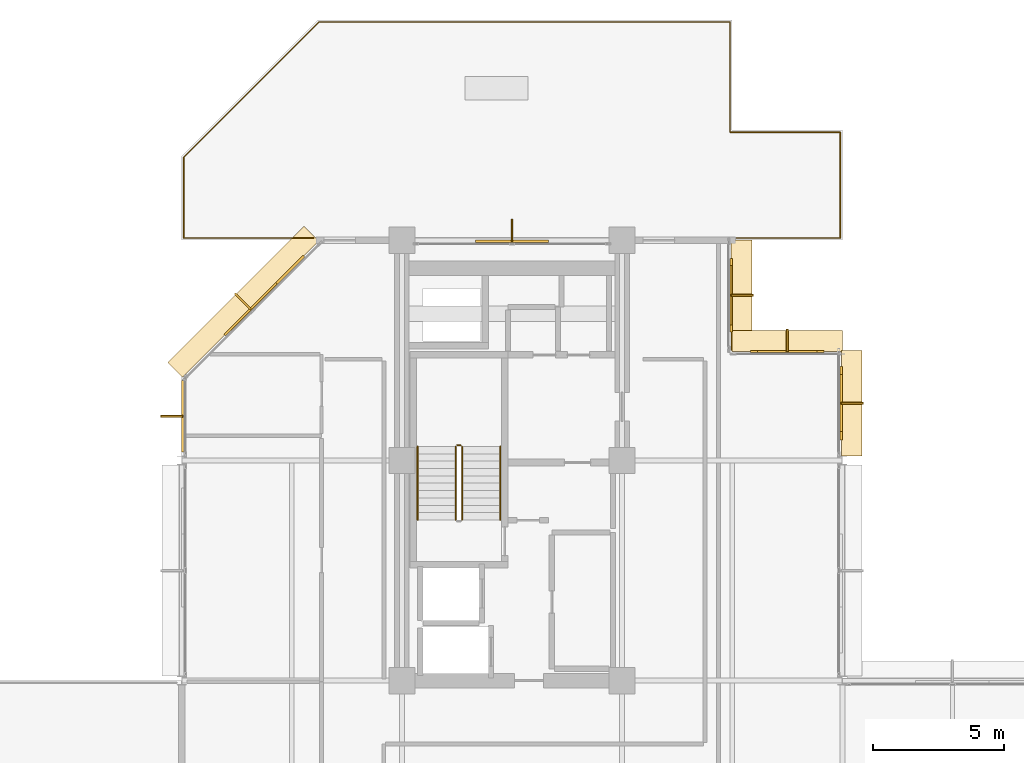
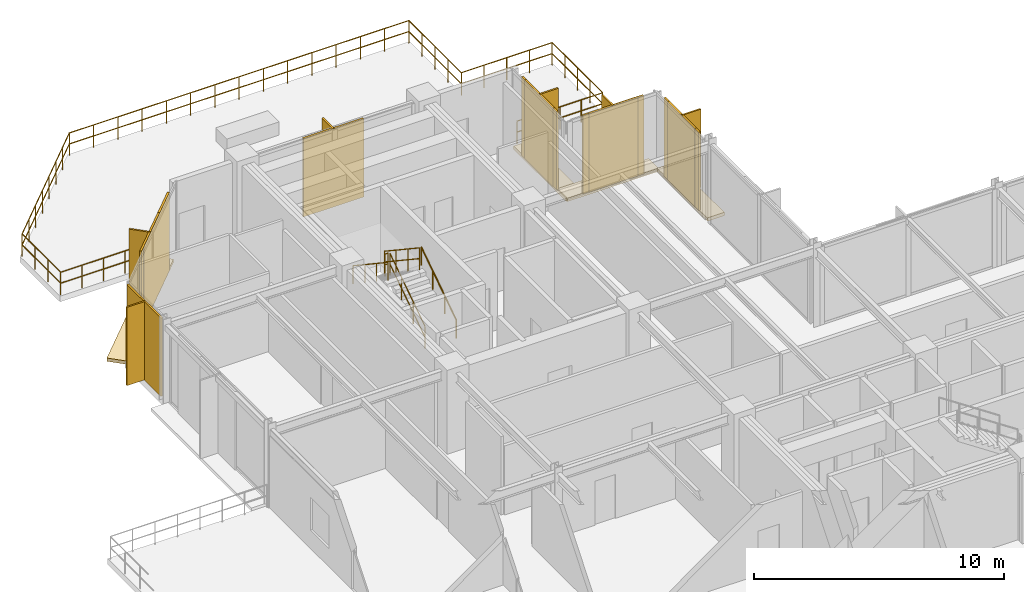
# One storey, part 21 of 21: 13 railings, 12 shading devices, 8 coverings.
"""IFC4 building model written with IfcOpenShell, lengths in metres."""

from ifc_helpers import new_model, si_unit, direction, frame, origin, origin_2d, place, context, subcontext, project, spatial, polyline, rectangle, circle, outline, extrude, material, layer, layer_set, type_object, element, save


model = new_model("IFC4")

# Units and contexts
model_context = context("Model", 3, precision=1e-05, world=origin(), true_north=direction((0.0, 1.0)))
body_context = subcontext(model_context, "Body", "Model", "MODEL_VIEW")
ifc_project = project(units=[si_unit("LENGTHUNIT", "METRE"), si_unit("AREAUNIT", "SQUARE_METRE"), si_unit("VOLUMEUNIT", "CUBIC_METRE"), si_unit("PLANEANGLEUNIT", "RADIAN"), si_unit("MASSUNIT", "GRAM", prefix="KILO")], contexts=[model_context])

# Site, building, storey
site_placement = place(None, origin())
site = spatial("IfcSite", under=ifc_project, at=site_placement, CompositionType="ELEMENT")
building_placement = place(site_placement, origin())
building = spatial("IfcBuilding", under=site, at=building_placement, Name="Nerrivon Quay Data Exchange", CompositionType="ELEMENT")
storey_placement = place(building_placement, frame((0.0, 0.0, 220.60009765625)))
storey = spatial("IfcBuildingStorey", under=building, at=storey_placement, Name="L52", CompositionType="ELEMENT", Elevation=220.60009765625)

# Coverings
ifc_material_1 = material(Name="Architectural terracotta ceramic", Category="masonry")
ifc_layer_1 = layer(ifc_material_1, 0.159912109375)
ifc_layer_set_1 = layer_set([ifc_layer_1], Name="Architectural terracotta ceramic")
covering_type_1 = type_object("IfcCoveringType", Name="COV-BLD-TERR", PredefinedType="CLADDING", material=ifc_layer_set_1)
covering_1_placement = place(storey_placement, frame((0.0, 0.0, -0.16015625)))
element("IfcCovering", 1, at=covering_1_placement, inside=storey, type_object=covering_type_1, Name="L52 Horizontal Terracotta SOLAR SCREEN Blade", PredefinedType="CLADDING", context=body_context, shape_type="SweptSolid", body=[
    extrude(outline(polyline([(0.0283203125, 36.771728515625), (5.228271484375, 41.9716796875), (4.669677734375, 42.5302734375), (-0.5302734375, 37.330322265625), (0.0283203125, 36.771728515625)])), origin(), (0.0, 0.0, 1.0), 0.16015625),
])
covering_2_placement = place(storey_placement, frame((0.0, 0.0, -0.16015625)))
element("IfcCovering", 2, at=covering_2_placement, inside=storey, type_object=covering_type_1, Name="L52 Horizontal Terracotta SOLAR SCREEN Blade", PredefinedType="CLADDING", context=body_context, shape_type="SweptSolid", body=[
    extrude(outline(polyline([(20.9599609375, 42.0), (20.9599609375, 37.800048828125), (21.75, 37.800048828125), (21.75, 42.0), (20.9599609375, 42.0)])), origin(), (0.0, 0.0, 1.0), 0.16015625),
])
covering_3_placement = place(storey_placement, frame((0.0, 0.0, -0.16015625)))
element("IfcCovering", 3, at=covering_3_placement, inside=storey, type_object=covering_type_1, Name="L52 Horizontal Terracotta SOLAR SCREEN Blade", PredefinedType="CLADDING", context=body_context, shape_type="SweptSolid", body=[
    extrude(outline(polyline([(21.0, 37.760009765625), (25.199951171875, 37.760009765625), (25.199951171875, 38.550048828125), (21.0, 38.550048828125), (21.0, 37.760009765625)])), origin(), (0.0, 0.0, 1.0), 0.16015625),
])
covering_4_placement = place(storey_placement, frame((0.0, 0.0, -0.16015625)))
element("IfcCovering", 4, at=covering_4_placement, inside=storey, type_object=covering_type_1, Name="L52 Horizontal Terracotta SOLAR SCREEN Blade", PredefinedType="CLADDING", context=body_context, shape_type="SweptSolid", body=[
    extrude(outline(polyline([(25.159912109375, 37.800048828125), (25.159912109375, 33.77490234375), (25.949951171875, 33.77490234375), (25.949951171875, 37.800048828125), (25.159912109375, 37.800048828125)])), origin(), (0.0, 0.0, 1.0), 0.16015625),
])
ifc_layer_2 = layer(ifc_material_1, 0.090087890625)
ifc_layer_set_2 = layer_set([ifc_layer_2], Name="Architectural terracotta ceramic")
covering_type_2 = type_object("IfcCoveringType", Name="COV-SCR-TERR", PredefinedType="CLADDING", material=ifc_layer_set_2)
covering_5_placement = place(storey_placement, frame((3.255859375, 39.9921875, 0.0), z_axis=(0.0, 0.0, 1.0), x_axis=(0.707106781187, 0.707106781187, 0.0)))
element("IfcCovering", 5, at=covering_5_placement, inside=storey, type_object=covering_type_2, Name="L52 Perforated Terracotta SOLAR SCREEN Cassette", PredefinedType="CLADDING", context=body_context, shape_type="SweptSolid", body=[
    extrude(rectangle(XDim=3.970947265625, YDim=0.090087890625, at=origin_2d()), origin(), (0.0, 0.0, 1.0), 3.824951171875),
])
for number, where, z_axis, x_axis, name in (
    (6, (20.955078125, 39.89990234375, 0.0), (0.0, 0.0, 1.0), (0.0, -1.0, 0.0), "L52 Perforated Terracotta SOLAR SCREEN Cassette"),
    (7, (23.10009765625, 37.7548828125, 0.0), (0.0, 0.0, 1.0), (1.0, 0.0, 0.0), "L52 Perforated Terracotta SOLAR SCREEN Cassette"),
):
    element("IfcCovering", number, at=place(storey_placement, frame(where, z_axis=z_axis, x_axis=x_axis)), inside=storey, type_object=covering_type_2, Name=name, PredefinedType="CLADDING", context=body_context, shape_type="SweptSolid", body=[
        extrude(rectangle(XDim=2.26806640625, YDim=0.090087890625, at=origin_2d()), origin(), (0.0, 0.0, 1.0), 3.824951171875),
    ])
covering_6_placement = place(storey_placement, frame((25.155029296875, 35.78759765625, 0.0), z_axis=(0.0, 0.0, 1.0), x_axis=(0.0, -1.0, 0.0)))
element("IfcCovering", 8, at=covering_6_placement, inside=storey, type_object=covering_type_2, Name="L52 Perforated Terracotta SOLAR SCREEN Cassette", PredefinedType="CLADDING", context=body_context, shape_type="SweptSolid", body=[
    extrude(rectangle(XDim=2.173095703125, YDim=0.090087890625, at=origin_2d()), origin(), (0.0, 0.0, 1.0), 3.824951171875),
])

# Railings
ifc_material_2 = material(Name="Steel Grade C350L0 (350 MPa)", Category="steel")
railing_type_1 = type_object("IfcRailingType", Name="RAIL-GUARD-GR2", PredefinedType="BALUSTRADE", material=ifc_material_2)
railing_1_placement = place(storey_placement, frame((25.1201171875, 42.080078125, 0.0)))
element("IfcRailing", 9, at=railing_1_placement, inside=storey, type_object=railing_type_1, Name="L52 Terrace Perimeter Guard 1.1 1", PredefinedType="BALUSTRADE", context=body_context, shape_type="SweptSolid", body=[
    extrude(circle(Radius=0.02392578125, at=origin_2d()), frame((0.0, 0.0, 1.09619140625), z_axis=(-1.0, 0.0, 0.0), x_axis=(0.0, -1.0, 0.0)), (0.0, 0.0, 1.0), 3.959228515625),
    extrude(circle(Radius=0.02392578125, at=origin_2d()), frame((0.0, 0.0, 0.56005859375), z_axis=(-1.0, 0.0, 0.0), x_axis=(0.0, -1.0, 0.0)), (0.0, 0.0, 1.0), 3.959228515625),
    extrude(circle(Radius=0.02099609375, at=origin_2d()), origin(), (0.0, 0.0, 1.0), 1.072021484375),
    extrude(circle(Radius=0.02099609375, at=origin_2d()), frame((-0.98974609375, 0.0, 0.0)), (0.0, 0.0, 1.0), 1.072021484375),
    extrude(circle(Radius=0.02099609375, at=origin_2d()), frame((-1.9794921875, 0.0, 0.0)), (0.0, 0.0, 1.0), 1.072021484375),
    extrude(circle(Radius=0.02099609375, at=origin_2d()), frame((-2.969482421875, 0.0, 0.0)), (0.0, 0.0, 1.0), 1.072021484375),
    extrude(circle(Radius=0.02099609375, at=origin_2d()), frame((-3.959228515625, 0.0, 0.0)), (0.0, 0.0, 1.0), 1.072021484375),
])
railing_2_placement = place(storey_placement, frame((5.025390625, 42.080078125, 0.0)))
element("IfcRailing", 10, at=railing_2_placement, inside=storey, type_object=railing_type_1, Name="L52 Terrace Perimeter Guard 1.2 1", PredefinedType="BALUSTRADE", context=body_context, shape_type="SweptSolid", body=[
    extrude(circle(Radius=0.02392578125, at=origin_2d()), frame((0.0, 0.0, 1.09619140625), z_axis=(-1.0, 0.0, 0.0), x_axis=(0.0, -1.0, 0.0)), (0.0, 0.0, 1.0), 4.9453125),
    extrude(circle(Radius=0.02392578125, at=origin_2d()), frame((0.0, 0.0, 0.56005859375), z_axis=(-1.0, 0.0, 0.0), x_axis=(0.0, -1.0, 0.0)), (0.0, 0.0, 1.0), 4.9453125),
    extrude(circle(Radius=0.02099609375, at=origin_2d()), origin(), (0.0, 0.0, 1.0), 1.072021484375),
    extrude(circle(Radius=0.02099609375, at=origin_2d()), frame((-0.989013671875, 0.0, 0.0)), (0.0, 0.0, 1.0), 1.072021484375),
    extrude(circle(Radius=0.02099609375, at=origin_2d()), frame((-1.97802734375, 0.0, 0.0)), (0.0, 0.0, 1.0), 1.072021484375),
    extrude(circle(Radius=0.02099609375, at=origin_2d()), frame((-2.96728515625, 0.0, 0.0)), (0.0, 0.0, 1.0), 1.072021484375),
    extrude(circle(Radius=0.02099609375, at=origin_2d()), frame((-3.956298828125, 0.0, 0.0)), (0.0, 0.0, 1.0), 1.072021484375),
    extrude(circle(Radius=0.02099609375, at=origin_2d()), frame((-4.9453125, 0.0, 0.0)), (0.0, 0.0, 1.0), 1.072021484375),
])
railing_3_placement = place(storey_placement, frame((0.080078125, 42.080078125, 0.0)))
element("IfcRailing", 11, at=railing_3_placement, inside=storey, type_object=railing_type_1, Name="L52 Terrace Perimeter Guard 1.3 1", PredefinedType="BALUSTRADE", context=body_context, shape_type="SweptSolid", body=[
    extrude(circle(Radius=0.02392578125, at=origin_2d()), frame((0.0, 0.0, 1.09619140625), z_axis=(0.0, 1.0, 0.0), x_axis=(-1.0, 0.0, 0.0)), (0.0, 0.0, 1.0), 3.0869140625),
    extrude(circle(Radius=0.02392578125, at=origin_2d()), frame((0.0, 0.0, 0.56005859375), z_axis=(0.0, 1.0, 0.0), x_axis=(-1.0, 0.0, 0.0)), (0.0, 0.0, 1.0), 3.0869140625),
    extrude(circle(Radius=0.02099609375, at=origin_2d()), origin(), (0.0, 0.0, 1.0), 1.072021484375),
    extrude(circle(Radius=0.02099609375, at=origin_2d()), frame((0.0, 1.029052734375, 0.0)), (0.0, 0.0, 1.0), 1.072021484375),
    extrude(circle(Radius=0.02099609375, at=origin_2d()), frame((0.0, 2.057861328125, 0.0)), (0.0, 0.0, 1.0), 1.072021484375),
    extrude(circle(Radius=0.02099609375, at=origin_2d()), frame((0.0, 3.0869140625, 0.0)), (0.0, 0.0, 1.0), 1.072021484375),
])
railing_4_placement = place(storey_placement, frame((0.080078125, 45.1669921875, 0.0)))
element("IfcRailing", 12, at=railing_4_placement, inside=storey, type_object=railing_type_1, Name="L52 Terrace Perimeter Guard 1.4 1", PredefinedType="BALUSTRADE", context=body_context, shape_type="SweptSolid", body=[
    extrude(circle(Radius=0.02392578125, at=origin_2d()), frame((0.0, 0.0, 1.09619140625), z_axis=(0.707106781187, 0.707106781187, 0.0), x_axis=(-0.707106781187, 0.707106781187, 0.0)), (0.0, 0.0, 1.0), 7.28759765625),
    extrude(circle(Radius=0.02392578125, at=origin_2d()), frame((0.0, 0.0, 0.56005859375), z_axis=(0.707106781187, 0.707106781187, 0.0), x_axis=(-0.707106781187, 0.707106781187, 0.0)), (0.0, 0.0, 1.0), 7.28759765625),
    extrude(circle(Radius=0.02099609375, at=origin_2d()), origin(), (0.0, 0.0, 1.0), 1.072021484375),
    extrude(circle(Radius=0.02099609375, at=origin_2d()), frame((0.736083984375, 0.736083984375, 0.0)), (0.0, 0.0, 1.0), 1.072021484375),
    extrude(circle(Radius=0.02099609375, at=origin_2d()), frame((1.472412109375, 1.472412109375, 0.0)), (0.0, 0.0, 1.0), 1.072021484375),
    extrude(circle(Radius=0.02099609375, at=origin_2d()), frame((2.20849609375, 2.20849609375, 0.0)), (0.0, 0.0, 1.0), 1.072021484375),
    extrude(circle(Radius=0.02099609375, at=origin_2d()), frame((2.944580078125, 2.944580078125, 0.0)), (0.0, 0.0, 1.0), 1.072021484375),
    extrude(circle(Radius=0.02099609375, at=origin_2d()), frame((3.6806640625, 3.6806640625, 0.0)), (0.0, 0.0, 1.0), 1.072021484375),
    extrude(circle(Radius=0.02099609375, at=origin_2d()), frame((4.4169921875, 4.4169921875, 0.0)), (0.0, 0.0, 1.0), 1.072021484375),
    extrude(circle(Radius=0.02099609375, at=origin_2d()), frame((5.153076171875, 5.153076171875, 0.0)), (0.0, 0.0, 1.0), 1.072021484375),
])
railing_5_placement = place(storey_placement, frame((5.233154296875, 50.320068359375, 0.0)))
element("IfcRailing", 13, at=railing_5_placement, inside=storey, type_object=railing_type_1, Name="L52 Terrace Perimeter Guard 1.5 1", PredefinedType="BALUSTRADE", context=body_context, shape_type="SweptSolid", body=[
    extrude(circle(Radius=0.02392578125, at=origin_2d()), frame((0.0, 0.0, 1.09619140625), z_axis=(1.0, 0.0, 0.0), x_axis=(0.0, 1.0, 0.0)), (0.0, 0.0, 1.0), 15.686767578125),
    extrude(circle(Radius=0.02392578125, at=origin_2d()), frame((0.0, 0.0, 0.56005859375), z_axis=(1.0, 0.0, 0.0), x_axis=(0.0, 1.0, 0.0)), (0.0, 0.0, 1.0), 15.686767578125),
    extrude(circle(Radius=0.02099609375, at=origin_2d()), origin(), (0.0, 0.0, 1.0), 1.072021484375),
    extrude(circle(Radius=0.02099609375, at=origin_2d()), frame((1.12060546875, 0.0, 0.0)), (0.0, 0.0, 1.0), 1.072021484375),
    extrude(circle(Radius=0.02099609375, at=origin_2d()), frame((2.240966796875, 0.0, 0.0)), (0.0, 0.0, 1.0), 1.072021484375),
    extrude(circle(Radius=0.02099609375, at=origin_2d()), frame((3.361328125, 0.0, 0.0)), (0.0, 0.0, 1.0), 1.072021484375),
    extrude(circle(Radius=0.02099609375, at=origin_2d()), frame((4.48193359375, 0.0, 0.0)), (0.0, 0.0, 1.0), 1.072021484375),
    extrude(circle(Radius=0.02099609375, at=origin_2d()), frame((5.6025390625, 0.0, 0.0)), (0.0, 0.0, 1.0), 1.072021484375),
    extrude(circle(Radius=0.02099609375, at=origin_2d()), frame((6.722900390625, 0.0, 0.0)), (0.0, 0.0, 1.0), 1.072021484375),
    extrude(circle(Radius=0.02099609375, at=origin_2d()), frame((7.84326171875, 0.0, 0.0)), (0.0, 0.0, 1.0), 1.072021484375),
    extrude(circle(Radius=0.02099609375, at=origin_2d()), frame((8.9638671875, 0.0, 0.0)), (0.0, 0.0, 1.0), 1.072021484375),
    extrude(circle(Radius=0.02099609375, at=origin_2d()), frame((10.08447265625, 0.0, 0.0)), (0.0, 0.0, 1.0), 1.072021484375),
    extrude(circle(Radius=0.02099609375, at=origin_2d()), frame((11.204833984375, 0.0, 0.0)), (0.0, 0.0, 1.0), 1.072021484375),
    extrude(circle(Radius=0.02099609375, at=origin_2d()), frame((12.3251953125, 0.0, 0.0)), (0.0, 0.0, 1.0), 1.072021484375),
    extrude(circle(Radius=0.02099609375, at=origin_2d()), frame((13.44580078125, 0.0, 0.0)), (0.0, 0.0, 1.0), 1.072021484375),
    extrude(circle(Radius=0.02099609375, at=origin_2d()), frame((14.56640625, 0.0, 0.0)), (0.0, 0.0, 1.0), 1.072021484375),
    extrude(circle(Radius=0.02099609375, at=origin_2d()), frame((15.686767578125, 0.0, 0.0)), (0.0, 0.0, 1.0), 1.072021484375),
])
railing_6_placement = place(storey_placement, frame((20.919921875, 50.320068359375, 0.0)))
element("IfcRailing", 14, at=railing_6_placement, inside=storey, type_object=railing_type_1, Name="L52 Terrace Perimeter Guard 1.6 1", PredefinedType="BALUSTRADE", context=body_context, shape_type="SweptSolid", body=[
    extrude(circle(Radius=0.02392578125, at=origin_2d()), frame((0.0, 0.0, 1.09619140625), z_axis=(0.0, -1.0, 0.0), x_axis=(1.0, 0.0, 0.0)), (0.0, 0.0, 1.0), 4.199951171875),
    extrude(circle(Radius=0.02392578125, at=origin_2d()), frame((0.0, 0.0, 0.56005859375), z_axis=(0.0, -1.0, 0.0), x_axis=(1.0, 0.0, 0.0)), (0.0, 0.0, 1.0), 4.199951171875),
    extrude(circle(Radius=0.02099609375, at=origin_2d()), origin(), (0.0, 0.0, 1.0), 1.072021484375),
    extrude(circle(Radius=0.02099609375, at=origin_2d()), frame((0.0, -1.050048828125, 0.0)), (0.0, 0.0, 1.0), 1.072021484375),
    extrude(circle(Radius=0.02099609375, at=origin_2d()), frame((0.0, -2.10009765625, 0.0)), (0.0, 0.0, 1.0), 1.072021484375),
    extrude(circle(Radius=0.02099609375, at=origin_2d()), frame((0.0, -3.14990234375, 0.0)), (0.0, 0.0, 1.0), 1.072021484375),
    extrude(circle(Radius=0.02099609375, at=origin_2d()), frame((0.0, -4.199951171875, 0.0)), (0.0, 0.0, 1.0), 1.072021484375),
])
railing_7_placement = place(storey_placement, frame((20.919921875, 46.1201171875, 0.0)))
element("IfcRailing", 15, at=railing_7_placement, inside=storey, type_object=railing_type_1, Name="L52 Terrace Perimeter Guard 1.7 1", PredefinedType="BALUSTRADE", context=body_context, shape_type="SweptSolid", body=[
    extrude(circle(Radius=0.02392578125, at=origin_2d()), frame((0.0, 0.0, 1.09619140625), z_axis=(1.0, 0.0, 0.0), x_axis=(0.0, 1.0, 0.0)), (0.0, 0.0, 1.0), 4.2001953125),
    extrude(circle(Radius=0.02392578125, at=origin_2d()), frame((0.0, 0.0, 0.56005859375), z_axis=(1.0, 0.0, 0.0), x_axis=(0.0, 1.0, 0.0)), (0.0, 0.0, 1.0), 4.2001953125),
    extrude(circle(Radius=0.02099609375, at=origin_2d()), origin(), (0.0, 0.0, 1.0), 1.072021484375),
    extrude(circle(Radius=0.02099609375, at=origin_2d()), frame((1.050048828125, 0.0, 0.0)), (0.0, 0.0, 1.0), 1.072021484375),
    extrude(circle(Radius=0.02099609375, at=origin_2d()), frame((2.10009765625, 0.0, 0.0)), (0.0, 0.0, 1.0), 1.072021484375),
    extrude(circle(Radius=0.02099609375, at=origin_2d()), frame((3.150146484375, 0.0, 0.0)), (0.0, 0.0, 1.0), 1.072021484375),
    extrude(circle(Radius=0.02099609375, at=origin_2d()), frame((4.2001953125, 0.0, 0.0)), (0.0, 0.0, 1.0), 1.072021484375),
])
railing_8_placement = place(storey_placement, frame((25.1201171875, 46.1201171875, 0.0)))
element("IfcRailing", 16, at=railing_8_placement, inside=storey, type_object=railing_type_1, Name="L52 Terrace Perimeter Guard 1.8 1", PredefinedType="BALUSTRADE", context=body_context, shape_type="SweptSolid", body=[
    extrude(circle(Radius=0.02392578125, at=origin_2d()), frame((0.0, 0.0, 1.09619140625), z_axis=(0.0, -1.0, 0.0), x_axis=(1.0, 0.0, 0.0)), (0.0, 0.0, 1.0), 4.0400390625),
    extrude(circle(Radius=0.02392578125, at=origin_2d()), frame((0.0, 0.0, 0.56005859375), z_axis=(0.0, -1.0, 0.0), x_axis=(1.0, 0.0, 0.0)), (0.0, 0.0, 1.0), 4.0400390625),
    extrude(circle(Radius=0.02099609375, at=origin_2d()), origin(), (0.0, 0.0, 1.0), 1.072021484375),
    extrude(circle(Radius=0.02099609375, at=origin_2d()), frame((0.0, -1.010009765625, 0.0)), (0.0, 0.0, 1.0), 1.072021484375),
    extrude(circle(Radius=0.02099609375, at=origin_2d()), frame((0.0, -2.02001953125, 0.0)), (0.0, 0.0, 1.0), 1.072021484375),
    extrude(circle(Radius=0.02099609375, at=origin_2d()), frame((0.0, -3.030029296875, 0.0)), (0.0, 0.0, 1.0), 1.072021484375),
    extrude(circle(Radius=0.02099609375, at=origin_2d()), frame((0.0, -4.0400390625, 0.0)), (0.0, 0.0, 1.0), 1.072021484375),
])
railing_type_2 = type_object("IfcRailingType", Name="RAIL-HAND-HR1", PredefinedType="HANDRAIL", material=ifc_material_2)
railing_9_placement = place(storey_placement, frame((12.14990234375, 31.330078125, 0.186279296875)))
element("IfcRailing", 17, at=railing_9_placement, inside=storey, type_object=railing_type_2, Name="L52 ST01 stair handrail 1", PredefinedType="HANDRAIL", context=body_context, shape_type="SweptSolid", body=[
    extrude(circle(Radius=0.02392578125, at=origin_2d()), frame((0.0, 0.0, 0.8759765625), z_axis=(0.0, 0.832463268671, 0.554080234545), x_axis=(-1.0, 0.0, 0.0)), (0.0, 0.0, 1.0), 3.36328125),
    extrude(circle(Radius=0.02099609375, at=origin_2d()), origin(), (0.0, 0.0, 1.0), 0.851806640625),
    extrude(circle(Radius=0.02099609375, at=origin_2d()), frame((0.0, 0.933349609375, 0.62109375)), (0.0, 0.0, 1.0), 0.851806640625),
    extrude(circle(Radius=0.02099609375, at=origin_2d()), frame((0.0, 1.866455078125, 1.242431640625)), (0.0, 0.0, 1.0), 0.851806640625),
    extrude(circle(Radius=0.02099609375, at=origin_2d()), frame((0.0, 2.7998046875, 1.863525390625)), (0.0, 0.0, 1.0), 0.851806640625),
])
railing_10_placement = place(storey_placement, frame((9.0, 34.1298828125, 2.236328125)))
element("IfcRailing", 18, at=railing_10_placement, inside=storey, type_object=railing_type_2, Name="L52 ST01 stair handrail 2", PredefinedType="HANDRAIL", context=body_context, shape_type="SweptSolid", body=[
    extrude(circle(Radius=0.02392578125, at=origin_2d()), frame((0.0, 0.0, 0.8759765625), z_axis=(0.0, -0.832463268671, 0.554080234545), x_axis=(1.0, 0.0, 0.0)), (0.0, 0.0, 1.0), 3.36328125),
    extrude(circle(Radius=0.02099609375, at=origin_2d()), origin(), (0.0, 0.0, 1.0), 0.851806640625),
    extrude(circle(Radius=0.02099609375, at=origin_2d()), frame((0.0, -0.933349609375, 0.62109375)), (0.0, 0.0, 1.0), 0.851806640625),
    extrude(circle(Radius=0.02099609375, at=origin_2d()), frame((0.0, -1.866455078125, 1.242431640625)), (0.0, 0.0, 1.0), 0.851806640625),
    extrude(circle(Radius=0.02099609375, at=origin_2d()), frame((0.0, -2.7998046875, 1.863525390625)), (0.0, 0.0, 1.0), 0.851806640625),
])
railing_type_3 = type_object("IfcRailingType", Name="RAIL-STAIR-GR1", PredefinedType="BALUSTRADE", material=ifc_material_2)
railing_11_placement = place(storey_placement, frame((10.699951171875, 31.330078125, 0.186279296875)))
element("IfcRailing", 19, at=railing_11_placement, inside=storey, type_object=railing_type_3, Name="L52 ST01 stair guard 1", PredefinedType="BALUSTRADE", context=body_context, shape_type="SweptSolid", body=[
    extrude(circle(Radius=0.02392578125, at=origin_2d()), frame((0.0, 0.0, 1.076171875), z_axis=(0.0, 0.832463268671, 0.554080234545), x_axis=(-1.0, 0.0, 0.0)), (0.0, 0.0, 1.0), 3.36328125),
    extrude(circle(Radius=0.02392578125, at=origin_2d()), frame((0.0, 0.0, 0.550048828125), z_axis=(0.0, 0.832463268671, 0.554080234545), x_axis=(-1.0, 0.0, 0.0)), (0.0, 0.0, 1.0), 3.36328125),
    extrude(circle(Radius=0.02099609375, at=origin_2d()), origin(), (0.0, 0.0, 1.0), 1.052001953125),
    extrude(circle(Radius=0.02099609375, at=origin_2d()), frame((0.0, 0.933349609375, 0.62109375)), (0.0, 0.0, 1.0), 1.052001953125),
    extrude(circle(Radius=0.02099609375, at=origin_2d()), frame((0.0, 1.866455078125, 1.242431640625)), (0.0, 0.0, 1.0), 1.052001953125),
    extrude(circle(Radius=0.02099609375, at=origin_2d()), frame((0.0, 2.7998046875, 1.863525390625)), (0.0, 0.0, 1.0), 1.052001953125),
])
railing_12_placement = place(storey_placement, frame((10.64990234375, 34.179931640625, 2.0498046875)))
element("IfcRailing", 20, at=railing_12_placement, inside=storey, type_object=railing_type_3, Name="L52 ST01 stair guard 2", PredefinedType="BALUSTRADE", context=body_context, shape_type="SweptSolid", body=[
    extrude(circle(Radius=0.02392578125, at=origin_2d()), frame((0.0, 0.0, 1.076171875), z_axis=(-1.0, 0.0, 0.0), x_axis=(0.0, -1.0, 0.0)), (0.0, 0.0, 1.0), 0.14990234375),
    extrude(circle(Radius=0.02392578125, at=origin_2d()), frame((0.0, 0.0, 0.550048828125), z_axis=(-1.0, 0.0, 0.0), x_axis=(0.0, -1.0, 0.0)), (0.0, 0.0, 1.0), 0.14990234375),
    extrude(circle(Radius=0.02099609375, at=origin_2d()), origin(), (0.0, 0.0, 1.0), 1.052001953125),
    extrude(circle(Radius=0.02099609375, at=origin_2d()), frame((-0.14990234375, 0.0, 0.0)), (0.0, 0.0, 1.0), 1.052001953125),
])
railing_13_placement = place(storey_placement, frame((10.449951171875, 34.1298828125, 2.236328125)))
element("IfcRailing", 21, at=railing_13_placement, inside=storey, type_object=railing_type_3, Name="L52 ST01 stair guard 3", PredefinedType="BALUSTRADE", context=body_context, shape_type="SweptSolid", body=[
    extrude(circle(Radius=0.02392578125, at=origin_2d()), frame((0.0, 0.0, 1.076171875), z_axis=(0.0, -0.832463268671, 0.554080234545), x_axis=(1.0, 0.0, 0.0)), (0.0, 0.0, 1.0), 3.36328125),
    extrude(circle(Radius=0.02392578125, at=origin_2d()), frame((0.0, 0.0, 0.550048828125), z_axis=(0.0, -0.832463268671, 0.554080234545), x_axis=(1.0, 0.0, 0.0)), (0.0, 0.0, 1.0), 3.36328125),
    extrude(circle(Radius=0.02099609375, at=origin_2d()), origin(), (0.0, 0.0, 1.0), 1.052001953125),
    extrude(circle(Radius=0.02099609375, at=origin_2d()), frame((0.0, -0.933349609375, 0.62109375)), (0.0, 0.0, 1.0), 1.052001953125),
    extrude(circle(Radius=0.02099609375, at=origin_2d()), frame((0.0, -1.866455078125, 1.242431640625)), (0.0, 0.0, 1.0), 1.052001953125),
    extrude(circle(Radius=0.02099609375, at=origin_2d()), frame((0.0, -2.7998046875, 1.863525390625)), (0.0, 0.0, 1.0), 1.052001953125),
])

# Shading devices
ifc_layer_3 = layer(ifc_material_1, 0.074951171875)
ifc_layer_set_3 = layer_set([ifc_layer_3], Name="Architectural terracotta ceramic")
shading_device_type_1 = type_object("IfcShadingDeviceType", Name="SHD-FIN-SS02", PredefinedType="USERDEFINED", material=ifc_layer_set_3)
for number, where, z_axis, x_axis, name in (
    (22, (-0.3798828125, 35.28759765625, 0.0), (0.0, 0.0, 1.0), (0.0, 1.0, 0.0), "L52 Subtropical Solar Fin Blade 15"),
    (23, (2.331298828125, 39.668701171875, 0.0), (0.0, 0.0, 1.0), (0.707106781187, 0.707106781187, 0.0), "L52 Subtropical Solar Fin Blade 16"),
    (24, (12.60009765625, 42.3798828125, 0.0), (0.0, 0.0, 1.0), (1.0, 0.0, 0.0), "L52 Subtropical Solar Fin Blade 18"),
    (25, (21.3798828125, 39.89990234375, 0.0), (0.0, 0.0, 1.0), (0.0, -1.0, 0.0), "L52 Subtropical Solar Fin Blade 20"),
    (26, (23.10009765625, 38.179931640625, 0.0), (0.0, 0.0, 1.0), (1.0, 0.0, 0.0), "L52 Subtropical Solar Fin Blade 21"),
    (27, (25.580078125, 35.78759765625, 0.0), (0.0, 0.0, 1.0), (0.0, -1.0, 0.0), "L52 Subtropical Solar Fin Blade 22"),
):
    element("IfcShadingDevice", number, at=place(storey_placement, frame(where, z_axis=z_axis, x_axis=x_axis)), inside=storey, type_object=shading_device_type_1, Name=name, ObjectType="FIN", PredefinedType="USERDEFINED", context=body_context, shape_type="SweptSolid", body=[
        extrude(rectangle(XDim=0.074951171875, YDim=0.85009765625, at=origin_2d()), origin(), (0.0, 0.0, 1.0), 3.824951171875),
    ])
ifc_layer_4 = layer(ifc_material_1, 0.0849609375)
ifc_layer_set_4 = layer_set([ifc_layer_4], Name="Architectural terracotta ceramic")
shading_device_type_2 = type_object("IfcShadingDeviceType", Name="SHD-SCR-SS01", PredefinedType="USERDEFINED", material=ifc_layer_set_4)
shading_device_placement = place(storey_placement, frame((0.0400390625, 35.28759765625, 0.0), z_axis=(0.0, 0.0, 1.0), x_axis=(0.0, 1.0, 0.0)))
element("IfcShadingDevice", 28, at=shading_device_placement, inside=storey, type_object=shading_device_type_2, Name="L52 Perforated Terracotta Solar Screen 15", ObjectType="SCREEN", PredefinedType="USERDEFINED", context=body_context, shape_type="SweptSolid", body=[
    extrude(rectangle(XDim=2.72509765625, YDim=0.0849609375, at=origin_2d()), origin(), (0.0, 0.0, 1.0), 3.824951171875),
])
for number, where, z_axis, x_axis, name in (
    (29, (2.62841796875, 39.37158203125, 0.0), (0.0, 0.0, 1.0), (0.707106781187, 0.707106781187, 0.0), "L52 Perforated Terracotta Solar Screen 16"),
    (30, (12.60009765625, 41.9599609375, 0.0), (0.0, 0.0, 1.0), (1.0, 0.0, 0.0), "L52 Perforated Terracotta Solar Screen 18"),
    (31, (20.9599609375, 39.89990234375, 0.0), (0.0, 0.0, 1.0), (0.0, -1.0, 0.0), "L52 Perforated Terracotta Solar Screen 20"),
    (32, (23.10009765625, 37.760009765625, 0.0), (0.0, 0.0, 1.0), (1.0, 0.0, 0.0), "L52 Perforated Terracotta Solar Screen 21"),
    (33, (25.159912109375, 35.78759765625, 0.0), (0.0, 0.0, 1.0), (0.0, -1.0, 0.0), "L52 Perforated Terracotta Solar Screen 22"),
):
    element("IfcShadingDevice", number, at=place(storey_placement, frame(where, z_axis=z_axis, x_axis=x_axis)), inside=storey, type_object=shading_device_type_2, Name=name, ObjectType="SCREEN", PredefinedType="USERDEFINED", context=body_context, shape_type="SweptSolid", body=[
        extrude(rectangle(XDim=2.800048828125, YDim=0.0849609375, at=origin_2d()), origin(), (0.0, 0.0, 1.0), 3.824951171875),
    ])

save(model, "model.ifc")
